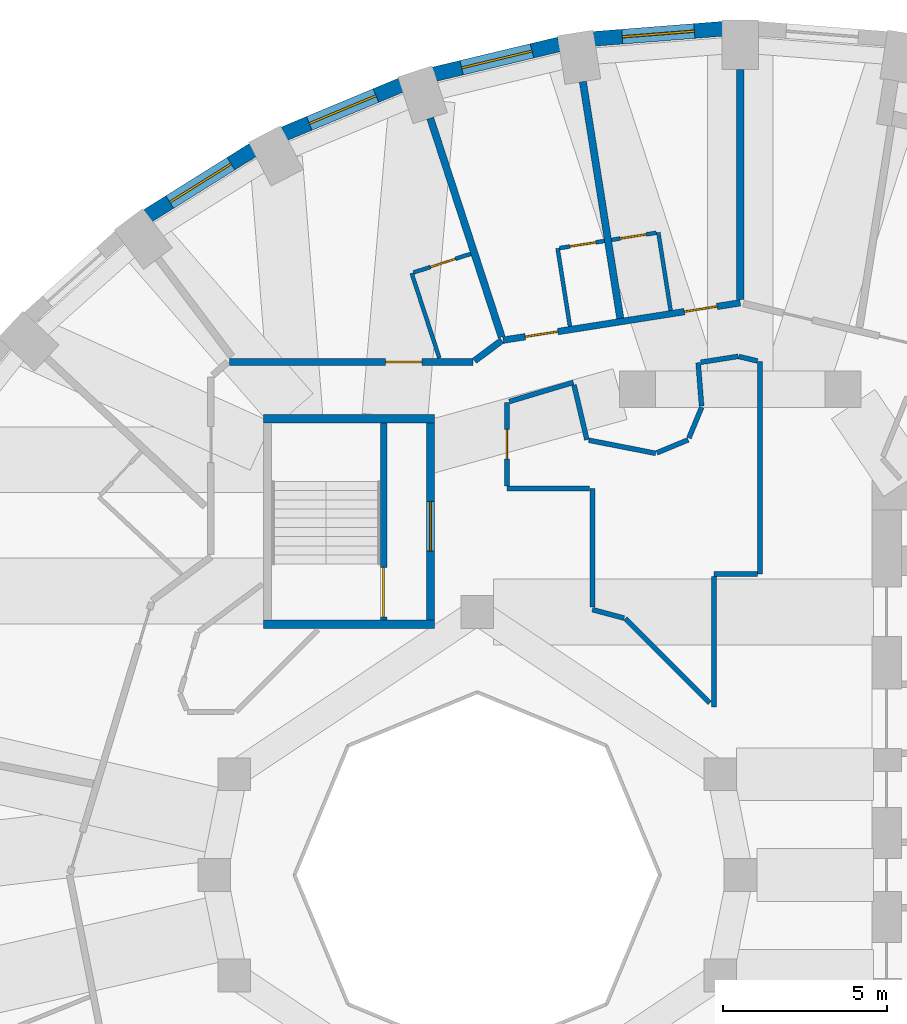
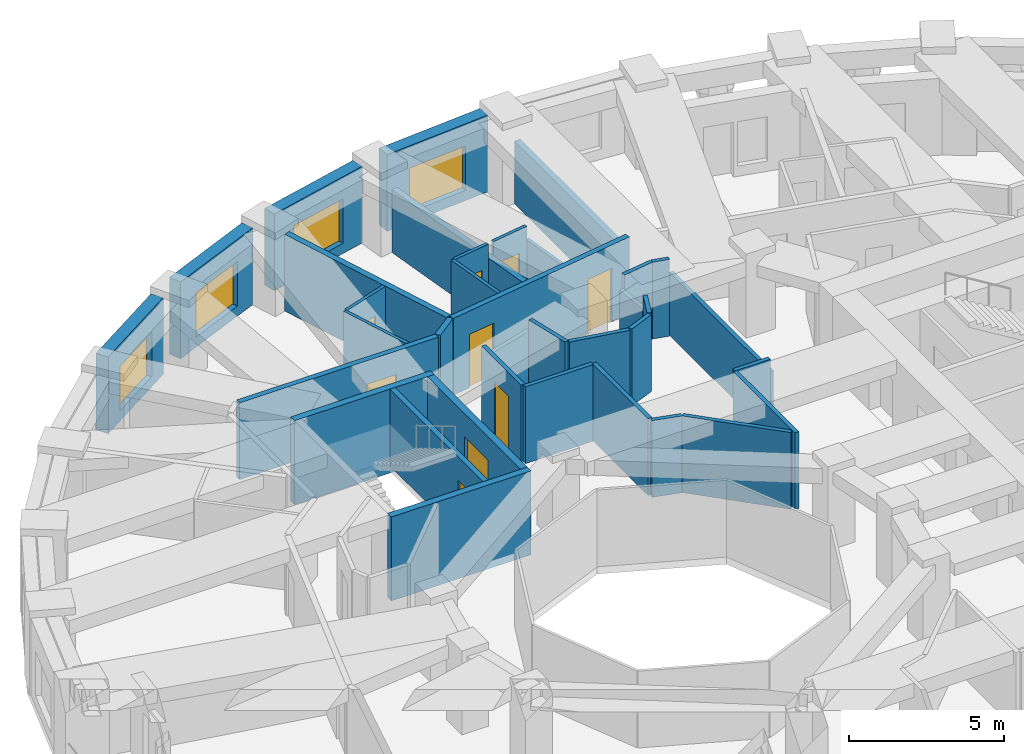
# One storey, part 8 of 14: 36 walls, 9 doors, 4 windows, 13 openings.
"""IFC4 building model written with IfcOpenShell, lengths in metres."""

import ifcopenshell
import ifcopenshell.guid

model = None  # the IFC model being written
_history = None  # IfcOwnerHistory: only IFC2X3 demands one
_inside = {}  # id of a spatial element -> (the spatial element, [elements in it])
_under = {}  # id of a project, library or spatial element -> (it, [spatial elements below it])
_declared = {}  # id of a project -> (the project, [libraries it declares])
_typed = {}  # id of a type object -> (the type object, [elements of that type])
_made_of = {}  # id of a material, layer set ... -> (it, [elements and type objects made of it])


def new_model(schema):
    """Start an empty IFC model of exactly this schema.

    Asked for "IFC4X3", IfcOpenShell would pick the latest addendum, in which some entities
    have other attributes; the version numbers below select the first issue.
    IFC2X3 requires an IfcOwnerHistory on every rooted entity: one is made here for all.
    """
    global model, _history
    if schema == "IFC4X3":
        model = ifcopenshell.file(schema_version=(4, 3, 0, 0))
    else:
        model = ifcopenshell.file(schema=schema)
    _inside.clear()
    _under.clear()
    _declared.clear()
    _typed.clear()
    _made_of.clear()
    _history = None
    if model.schema == "IFC2X3":
        org = make("IfcOrganization", Name="unknown")
        user = make(
            "IfcPersonAndOrganization",
            ThePerson=make("IfcPerson", FamilyName="unknown"),
            TheOrganization=org,
        )
        app = make(
            "IfcApplication",
            ApplicationDeveloper=org,
            Version="unknown",
            ApplicationFullName="unknown",
            ApplicationIdentifier="unknown",
        )
        _history = make(
            "IfcOwnerHistory",
            OwningUser=user,
            OwningApplication=app,
            ChangeAction="ADDED",
            CreationDate=0,
        )
    return model


def make(cls, **values):
    """One entity of the class cls with the attributes given. An attribute that is None is left unset."""
    return model.create_entity(
        cls, **{name: value for name, value in values.items() if value is not None}
    )


def rooted(cls, **values):
    """An entity with a GlobalId (a new one), such as an element, a storey or a relation."""
    return make(cls, GlobalId=ifcopenshell.guid.new(), OwnerHistory=_history, **values)


def si_unit(unit_type, name, prefix=None):
    """IfcSIUnit, for example si_unit("LENGTHUNIT", "METRE", prefix="MILLI")."""
    return make("IfcSIUnit", UnitType=unit_type, Prefix=prefix, Name=name)


def assignment(units):
    """IfcUnitAssignment: the units of a project."""
    return None if units is None else make("IfcUnitAssignment", Units=units)


def point(xyz):
    """IfcCartesianPoint."""
    return None if xyz is None else make("IfcCartesianPoint", Coordinates=xyz)


def direction(xyz):
    """IfcDirection."""
    return None if xyz is None else make("IfcDirection", DirectionRatios=xyz)


def frame(location, z_axis=None, x_axis=None):
    """IfcAxis2Placement3D, a coordinate frame: its origin and axes. An axis left out is left unset."""
    return make(
        "IfcAxis2Placement3D",
        Location=point(location),
        Axis=direction(z_axis),
        RefDirection=direction(x_axis),
    )


def frame_2d(location, x_axis=None):
    """IfcAxis2Placement2D, a coordinate frame in the plane: its origin and x axis."""
    return make(
        "IfcAxis2Placement2D", Location=point(location), RefDirection=direction(x_axis)
    )


def origin():
    """The frame at (0, 0, 0) with its axes left unset."""
    return frame((0.0, 0.0, 0.0))


def place(relative_to, where):
    """IfcLocalPlacement: puts the frame where relative to a parent placement (None: the world)."""
    return make(
        "IfcLocalPlacement", PlacementRelTo=relative_to, RelativePlacement=where
    )


def context(
    kind, dimensions, precision=None, world=None, true_north=None, identifier=None
):
    """IfcGeometricRepresentationContext, for example the 3D "Model" context."""
    return make(
        "IfcGeometricRepresentationContext",
        ContextIdentifier=identifier,
        ContextType=kind,
        CoordinateSpaceDimension=dimensions,
        Precision=precision,
        WorldCoordinateSystem=world,
        TrueNorth=true_north,
    )


def subcontext(parent, identifier, kind, view, scale=None):
    """IfcGeometricRepresentationSubContext, for example "Body" below "Model"."""
    return make(
        "IfcGeometricRepresentationSubContext",
        ContextIdentifier=identifier,
        ContextType=kind,
        ParentContext=parent,
        TargetScale=scale,
        TargetView=view,
    )


def project(units=None, contexts=None):
    """IfcProject with its units and contexts."""
    return rooted(
        "IfcProject",
        Name="project",
        RepresentationContexts=contexts,
        UnitsInContext=assignment(units),
    )


def spatial(cls, under=None, at=None, **own):
    """A site, building, storey or space (cls), placed at a placement, below another one or the project."""
    s = rooted(cls, ObjectPlacement=at, **own)
    if under is not None:
        _under.setdefault(under.id(), (under, []))[1].append(s)
    return s


def profile(cls, at=None, kind="AREA", **sizes):
    """A parametric profile (cls). Its sizes go by their IFC names, for example OverallWidth=200.0."""
    return make(cls, ProfileType=kind, Position=at, **sizes)


def rectangle(**sizes):
    """IfcRectangleProfileDef."""
    return profile("IfcRectangleProfileDef", **sizes)


def extrude(swept, where, along, depth):
    """IfcExtrudedAreaSolid: the profile swept, set in the frame where, extruded along a direction by depth."""
    return make(
        "IfcExtrudedAreaSolid",
        SweptArea=swept,
        Position=where,
        ExtrudedDirection=direction(along),
        Depth=depth,
    )


def shape(context_of_items, identifier, shape_type, items):
    """IfcShapeRepresentation: the items that make up one representation, for example the "Body"."""
    return make(
        "IfcShapeRepresentation",
        ContextOfItems=context_of_items,
        RepresentationIdentifier=identifier,
        RepresentationType=shape_type,
        Items=items,
    )


def material(Name=None, Category=None):
    """IfcMaterial."""
    return make("IfcMaterial", Name=Name, Category=Category)


def layer(
    of_material, thickness, ventilated=None, Name=None, Category=None, Priority=None
):
    """IfcMaterialLayer: one layer of a wall or slab, of a material (None: an air gap)."""
    return make(
        "IfcMaterialLayer",
        Material=of_material,
        LayerThickness=thickness,
        IsVentilated=ventilated,
        Name=Name,
        Category=Category,
        Priority=Priority,
    )


def layer_set(layers, Name=None):
    """IfcMaterialLayerSet."""
    return make("IfcMaterialLayerSet", MaterialLayers=layers, LayerSetName=Name)


def made_of(thing, what):
    """Note that an element or type object is made of a material, layer set ...; save() writes the relation."""
    if what is not None:
        _made_of.setdefault(what.id(), (what, []))[1].append(thing)
    return thing


def type_object(cls, material=None, **own):
    """A type object (cls), such as IfcWallType, which elements share."""
    return made_of(rooted(cls, **own), material)


def element(
    cls,
    number,
    at=None,
    inside=None,
    cuts=None,
    type_object=None,
    material=None,
    context=None,
    identifier="Body",
    shape_type=None,
    held_by="IfcProductDefinitionShape",
    body=None,
    shapes=None,
    **own,
):
    """One element of the class cls, such as IfcWall. Its Tag is "e" and its number.

    at: its placement. inside: the storey or other place that contains it. cuts: it is an
    opening in that element (IfcRelVoidsElement). A single representation is given by context,
    identifier, shape_type and body (its items); several are given by shapes. held_by: the class
    of the entity that holds the representations. save() writes the other relations.
    """
    e = rooted(cls, Tag="e%d" % number, ObjectPlacement=at, **own)
    if body is not None:
        shapes = [shape(context, identifier, shape_type, body)]
    if shapes is not None:
        e.Representation = make(held_by, Representations=shapes)
    if inside is not None:
        _inside.setdefault(inside.id(), (inside, []))[1].append(e)
    if cuts is not None:
        rooted(
            "IfcRelVoidsElement", RelatingBuildingElement=cuts, RelatedOpeningElement=e
        )
    if type_object is not None:
        _typed.setdefault(type_object.id(), (type_object, []))[1].append(e)
    return made_of(e, material)


def fill(opening, filler):
    """IfcRelFillsElement: the door or window that sits in an opening."""
    return rooted(
        "IfcRelFillsElement",
        RelatingOpeningElement=opening,
        RelatedBuildingElement=filler,
    )


def aggregate(whole, parts):
    """IfcRelAggregates: a whole, such as a stair, and the parts it consists of."""
    return rooted("IfcRelAggregates", RelatingObject=whole, RelatedObjects=parts)


def save(model, path):
    """Write the relations noted so far, then the file.

    IfcRelAggregates (storeys below a building ...), IfcRelContainedInSpatialStructure (elements
    in a storey), IfcRelDefinesByType, IfcRelAssociatesMaterial and IfcRelDeclares: one each for
    every whole, place, type object, material and project.
    """
    for whole, parts in _under.values():
        aggregate(whole, parts)
    for where, things in _inside.values():
        rooted(
            "IfcRelContainedInSpatialStructure",
            RelatedElements=things,
            RelatingStructure=where,
        )
    for kind, things in _typed.values():
        rooted("IfcRelDefinesByType", RelatedObjects=things, RelatingType=kind)
    for what, things in _made_of.values():
        rooted("IfcRelAssociatesMaterial", RelatedObjects=things, RelatingMaterial=what)
    for by, libraries in _declared.values():
        rooted("IfcRelDeclares", RelatingContext=by, RelatedDefinitions=libraries)
    model.write(path)


model = new_model("IFC4")

# Units and contexts
model_context = context("Model", 3, precision=1e-05, world=origin(), true_north=direction((0.0, 1.0)))
body_context = subcontext(model_context, "Body", "Model", "MODEL_VIEW")
ifc_project = project(units=[si_unit("LENGTHUNIT", "METRE"), si_unit("AREAUNIT", "SQUARE_METRE"), si_unit("VOLUMEUNIT", "CUBIC_METRE"), si_unit("PLANEANGLEUNIT", "RADIAN"), si_unit("MASSUNIT", "GRAM", prefix="KILO")], contexts=[model_context])

# Site, building, storey
site_placement = place(None, origin())
site = spatial("IfcSite", under=ifc_project, at=site_placement, CompositionType="ELEMENT")
building_placement = place(site_placement, origin())
building = spatial("IfcBuilding", under=site, at=building_placement, Name="Taillehof Tower", CompositionType="ELEMENT")
storey_placement = place(building_placement, frame((0.0, 0.0, 25.0)))
storey = spatial("IfcBuildingStorey", under=building, at=storey_placement, Name="L05", CompositionType="ELEMENT", Elevation=25.0)

# Wall, opening, window
ifc_material_1 = material(Name="Brick masonry", Category="masonry")
ifc_layer_1 = layer(ifc_material_1, 0.449951171875)
ifc_layer_set_1 = layer_set([ifc_layer_1], Name="Brick infill wall 450")
wall_type_1 = type_object("IfcWallType", Name="Brick infill wall 450", PredefinedType="SOLIDWALL", material=ifc_layer_set_1)
wall_1_placement = place(storey_placement, frame((-0.530029296875, 25.73291015625, 0.0), z_axis=(0.0, 0.0, 1.0), x_axis=(-0.996955972145, -0.077966592873, 0.0)))
wall_1 = element("IfcWall", 1, at=wall_1_placement, inside=storey, type_object=wall_type_1, Name="Brick wall L05 bay 10", PredefinedType="SOLIDWALL", context=body_context, shape_type="SweptSolid", body=[
    extrude(rectangle(XDim=3.939208984375, YDim=0.449951171875, at=frame_2d((1.9697265625, 0.0))), origin(), (0.0, 0.0, 1.0), 3.02001953125),
])
opening_1_placement = place(wall_1_placement, frame((0.86962890625, 0.0, 0.39990234375)))
opening_1 = element("IfcOpeningElement", 2, at=opening_1_placement, cuts=wall_1, Name="Opening W1", PredefinedType="OPENING", context=body_context, shape_type="SweptSolid", body=[
    extrude(rectangle(XDim=2.199951171875, YDim=1.75, at=frame_2d((1.10009765625, 0.875))), frame((0.0, 0.23486328125, 0.0), z_axis=(0.0, -1.0, 0.0), x_axis=(1.0, 0.0, 0.0)), (0.0, 0.0, 1.0), 0.469970703125),
])
ifc_material_2 = material(Name="Aluminium window frame with clear double glazing", Category="aluminium")
window_type = type_object("IfcWindowType", Name="Deep-set window 2200x1750", PartitioningType="SINGLE_PANEL", PredefinedType="WINDOW", material=ifc_material_2)
window_1_placement = place(opening_1_placement, origin())
window_1 = element("IfcWindow", 3, at=window_1_placement, inside=storey, type_object=window_type, Name="W1", OverallHeight=1.75, OverallWidth=2.199951171875, PartitioningType="SINGLE_PANEL", PredefinedType="WINDOW", context=body_context, shape_type="SweptSolid", body=[
    extrude(rectangle(XDim=2.199951171875, YDim=1.75, at=frame_2d((1.10009765625, 0.875))), frame((0.0, 0.034912109375, 0.0), z_axis=(0.0, -1.0, 0.0), x_axis=(1.0, 0.0, 0.0)), (0.0, 0.0, 1.0), 0.06005859375),
])
fill(opening_1, window_1)

wall_2_placement = place(storey_placement, frame((-5.50439453125, 25.260498046875, 0.0), z_axis=(0.0, 0.0, 1.0), x_axis=(-0.972496561493, -0.232917233979, 0.0)))
wall_2 = element("IfcWall", 4, at=wall_2_placement, inside=storey, type_object=wall_type_1, Name="Brick wall L05 bay 11", PredefinedType="SOLIDWALL", context=body_context, shape_type="SweptSolid", body=[
    extrude(rectangle(XDim=3.910888671875, YDim=0.449951171875, at=frame_2d((1.95556640625, 0.0))), origin(), (0.0, 0.0, 1.0), 3.02001953125),
])
opening_2_placement = place(wall_2_placement, frame((0.855224609375, 0.0, 0.39990234375)))
opening_2 = element("IfcOpeningElement", 5, at=opening_2_placement, cuts=wall_2, Name="Opening W1", PredefinedType="OPENING", context=body_context, shape_type="SweptSolid", body=[
    extrude(rectangle(XDim=2.199951171875, YDim=1.75, at=frame_2d((1.10009765625, 0.875))), frame((0.0, 0.23486328125, 0.0), z_axis=(0.0, -1.0, 0.0), x_axis=(1.0, 0.0, 0.0)), (0.0, 0.0, 1.0), 0.469970703125),
])
window_2_placement = place(opening_2_placement, origin())
window_2 = element("IfcWindow", 6, at=window_2_placement, inside=storey, type_object=window_type, Name="W1", OverallHeight=1.75, OverallWidth=2.199951171875, PartitioningType="SINGLE_PANEL", PredefinedType="WINDOW", context=body_context, shape_type="SweptSolid", body=[
    extrude(rectangle(XDim=2.199951171875, YDim=1.75, at=frame_2d((1.10009765625, 0.875))), frame((0.0, 0.034912109375, 0.0), z_axis=(0.0, -1.0, 0.0), x_axis=(1.0, 0.0, 0.0)), (0.0, 0.0, 1.0), 0.06005859375),
])
fill(opening_2, window_2)

wall_3_placement = place(storey_placement, frame((-10.3154296875, 24.02099609375, 0.0), z_axis=(0.0, 0.0, 1.0), x_axis=(-0.923031964282, -0.384723267966, 0.0)))
wall_3 = element("IfcWall", 7, at=wall_3_placement, inside=storey, type_object=wall_type_1, Name="Brick wall L05 bay 12", PredefinedType="SOLIDWALL", context=body_context, shape_type="SweptSolid", body=[
    extrude(rectangle(XDim=3.8564453125, YDim=0.449951171875, at=frame_2d((1.92822265625, 0.0))), origin(), (0.0, 0.0, 1.0), 3.02001953125),
])
opening_3_placement = place(wall_3_placement, frame((0.828125, 0.0, 0.39990234375)))
opening_3 = element("IfcOpeningElement", 8, at=opening_3_placement, cuts=wall_3, Name="Opening W1", PredefinedType="OPENING", context=body_context, shape_type="SweptSolid", body=[
    extrude(rectangle(XDim=2.199951171875, YDim=1.75, at=frame_2d((1.10009765625, 0.875))), frame((0.0, 0.23486328125, 0.0), z_axis=(0.0, -1.0, 0.0), x_axis=(1.0, 0.0, 0.0)), (0.0, 0.0, 1.0), 0.469970703125),
])
window_3_placement = place(opening_3_placement, origin())
window_3 = element("IfcWindow", 9, at=window_3_placement, inside=storey, type_object=window_type, Name="W1", OverallHeight=1.75, OverallWidth=2.199951171875, PartitioningType="SINGLE_PANEL", PredefinedType="WINDOW", context=body_context, shape_type="SweptSolid", body=[
    extrude(rectangle(XDim=2.199951171875, YDim=1.75, at=frame_2d((1.10009765625, 0.875))), frame((0.0, 0.034912109375, 0.0), z_axis=(0.0, -1.0, 0.0), x_axis=(1.0, 0.0, 0.0)), (0.0, 0.0, 1.0), 0.06005859375),
])
fill(opening_3, window_3)

wall_4_placement = place(storey_placement, frame((-14.81689453125, 22.050537109375, 0.0), z_axis=(0.0, 0.0, 1.0), x_axis=(-0.847635480093, -0.530579016629, 0.0)))
wall_4 = element("IfcWall", 10, at=wall_4_placement, inside=storey, type_object=wall_type_1, Name="Brick wall L05 bay 13", PredefinedType="SOLIDWALL", context=body_context, shape_type="SweptSolid", body=[
    extrude(rectangle(XDim=3.782470703125, YDim=0.449951171875, at=frame_2d((1.89111328125, 0.0))), origin(), (0.0, 0.0, 1.0), 3.02001953125),
])
opening_4_placement = place(wall_4_placement, frame((0.791259765625, 0.0, 0.39990234375)))
opening_4 = element("IfcOpeningElement", 11, at=opening_4_placement, cuts=wall_4, Name="Opening W1", PredefinedType="OPENING", context=body_context, shape_type="SweptSolid", body=[
    extrude(rectangle(XDim=2.199951171875, YDim=1.75, at=frame_2d((1.10009765625, 0.875))), frame((0.0, 0.23486328125, 0.0), z_axis=(0.0, -1.0, 0.0), x_axis=(1.0, 0.0, 0.0)), (0.0, 0.0, 1.0), 0.469970703125),
])
window_4_placement = place(opening_4_placement, origin())
window_4 = element("IfcWindow", 12, at=window_4_placement, inside=storey, type_object=window_type, Name="W1", OverallHeight=1.75, OverallWidth=2.199951171875, PartitioningType="SINGLE_PANEL", PredefinedType="WINDOW", context=body_context, shape_type="SweptSolid", body=[
    extrude(rectangle(XDim=2.199951171875, YDim=1.75, at=frame_2d((1.10009765625, 0.875))), frame((0.0, 0.034912109375, 0.0), z_axis=(0.0, -1.0, 0.0), x_axis=(1.0, 0.0, 0.0)), (0.0, 0.0, 1.0), 0.06005859375),
])
fill(opening_4, window_4)

# Wall, opening, door
ifc_material_3 = material(Name="Gypsum board on steel studs, two layers each side", Category="steel")
ifc_layer_2 = layer(ifc_material_3, 0.199951171875)
ifc_layer_set_2 = layer_set([ifc_layer_2], Name="Compartment wall corridor 200")
wall_type_2 = type_object("IfcWallType", Name="Compartment wall corridor 200", PredefinedType="PARTITIONING", material=ifc_layer_set_2)
wall_5_placement = place(storey_placement, frame((-15.531494140625, 15.60009765625, 0.0), z_axis=(0.0, 0.0, 1.0), x_axis=(1.0, 0.0, 0.0)))
wall_5 = element("IfcWall", 13, at=wall_5_placement, inside=storey, type_object=wall_type_2, Name="Compartment wall", PredefinedType="PARTITIONING", context=body_context, shape_type="SweptSolid", body=[
    extrude(rectangle(XDim=7.39892578125, YDim=0.199951171875, at=frame_2d((3.699462890625, 0.0))), origin(), (0.0, 0.0, 1.0), 3.02001953125),
])
opening_5_placement = place(wall_5_placement, frame((4.74658203125, 0.0, 0.0)))
opening_5 = element("IfcOpeningElement", 14, at=opening_5_placement, cuts=wall_5, Name="Opening D0549", PredefinedType="OPENING", context=body_context, shape_type="SweptSolid", body=[
    extrude(rectangle(XDim=1.10009765625, YDim=2.10009765625, at=frame_2d((0.550048828125, 1.050048828125))), frame((0.0, 0.10986328125, 0.0), z_axis=(0.0, -1.0, 0.0), x_axis=(1.0, 0.0, 0.0)), (0.0, 0.0, 1.0), 0.219970703125),
])
ifc_material_4 = material(Name="Timber door leaf in steel frame", Category="steel")
door_type_1 = type_object("IfcDoorType", Name="Suite entrance door EI 30 1100 x 2100", OperationType="SINGLE_SWING_LEFT", PredefinedType="DOOR", material=ifc_material_4)
door_1_placement = place(opening_5_placement, origin())
door_1 = element("IfcDoor", 15, at=door_1_placement, inside=storey, type_object=door_type_1, Name="D0549", OperationType="SINGLE_SWING_RIGHT", OverallHeight=2.10009765625, OverallWidth=1.10009765625, PredefinedType="DOOR", context=body_context, shape_type="SweptSolid", body=[
    extrude(rectangle(XDim=1.10009765625, YDim=2.10009765625, at=frame_2d((0.550048828125, 1.050048828125))), frame((0.0, 0.02490234375, 0.0), z_axis=(0.0, -1.0, 0.0), x_axis=(1.0, 0.0, 0.0)), (0.0, 0.0, 1.0), 0.050048828125),
])
fill(opening_5, door_1)

# Wall
wall_6_placement = place(storey_placement, frame((-8.084228515625, 15.635986328125, 0.0), z_axis=(0.0, 0.0, 1.0), x_axis=(0.802193962144, 0.597063520155, 0.0)))
element("IfcWall", 16, at=wall_6_placement, inside=storey, type_object=wall_type_2, Name="Compartment wall", PredefinedType="PARTITIONING", context=body_context, shape_type="SweptSolid", body=[
    extrude(rectangle(XDim=1.0390625, YDim=0.199951171875, at=frame_2d((0.51953125, 0.0))), origin(), (0.0, 0.0, 1.0), 3.02001953125),
])

# Wall, openings, doors
wall_7_placement = place(storey_placement, frame((-7.211181640625, 16.2626953125, 0.0), z_axis=(0.0, 0.0, 1.0), x_axis=(0.987792503573, 0.155775382796, 0.0)))
wall_7 = element("IfcWall", 17, at=wall_7_placement, inside=storey, type_object=wall_type_2, Name="Compartment wall", PredefinedType="PARTITIONING", context=body_context, shape_type="SweptSolid", body=[
    extrude(rectangle(XDim=7.30029296875, YDim=0.199951171875, at=frame_2d((3.650146484375, 0.0))), origin(), (0.0, 0.0, 1.0), 3.02001953125),
])
opening_6_placement = place(wall_7_placement, frame((5.58056640625, 0.0, 0.0)))
opening_6 = element("IfcOpeningElement", 18, at=opening_6_placement, cuts=wall_7, Name="Opening D0545", PredefinedType="OPENING", context=body_context, shape_type="SweptSolid", body=[
    extrude(rectangle(XDim=1.0, YDim=2.10009765625, at=frame_2d((0.5, 1.050048828125))), frame((0.0, 0.10986328125, 0.0), z_axis=(0.0, -1.0, 0.0), x_axis=(1.0, 0.0, 0.0)), (0.0, 0.0, 1.0), 0.219970703125),
])
opening_7_placement = place(wall_7_placement, frame((0.680419921875, 0.0, 0.0)))
opening_7 = element("IfcOpeningElement", 19, at=opening_7_placement, cuts=wall_7, Name="Opening D0547", PredefinedType="OPENING", context=body_context, shape_type="SweptSolid", body=[
    extrude(rectangle(XDim=1.0, YDim=2.10009765625, at=frame_2d((0.5, 1.050048828125))), frame((0.0, 0.10986328125, 0.0), z_axis=(0.0, -1.0, 0.0), x_axis=(1.0, 0.0, 0.0)), (0.0, 0.0, 1.0), 0.219970703125),
])
ifc_material_5 = material(Name="Timber door leaf in steel frame", Category="steel")
door_type_2 = type_object("IfcDoorType", Name="Guest room door EI 30 1000 x 2100", OperationType="SINGLE_SWING_LEFT", PredefinedType="DOOR", material=ifc_material_5)
door_2_placement = place(opening_6_placement, origin())
door_2 = element("IfcDoor", 20, at=door_2_placement, inside=storey, type_object=door_type_2, Name="D0545", OperationType="SINGLE_SWING_LEFT", OverallHeight=2.10009765625, OverallWidth=1.0, PredefinedType="DOOR", context=body_context, shape_type="SweptSolid", body=[
    extrude(rectangle(XDim=1.0, YDim=2.10009765625, at=frame_2d((0.5, 1.050048828125))), frame((0.0, 0.02490234375, 0.0), z_axis=(0.0, -1.0, 0.0), x_axis=(1.0, 0.0, 0.0)), (0.0, 0.0, 1.0), 0.050048828125),
])
fill(opening_6, door_2)
door_3_placement = place(opening_7_placement, origin())
door_3 = element("IfcDoor", 21, at=door_3_placement, inside=storey, type_object=door_type_2, Name="D0547", OperationType="SINGLE_SWING_RIGHT", OverallHeight=2.10009765625, OverallWidth=1.0, PredefinedType="DOOR", context=body_context, shape_type="SweptSolid", body=[
    extrude(rectangle(XDim=1.0, YDim=2.10009765625, at=frame_2d((0.5, 1.050048828125))), frame((0.0, 0.02490234375, 0.0), z_axis=(0.0, -1.0, 0.0), x_axis=(1.0, 0.0, 0.0)), (0.0, 0.0, 1.0), 0.050048828125),
])
fill(opening_7, door_3)

# Walls
ifc_material_6 = material(Name="Gypsum board on double steel studs with mineral wool", Category="steel")
ifc_layer_3 = layer(ifc_material_6, 0.219970703125)
ifc_layer_set_3 = layer_set([ifc_layer_3], Name="Compartment wall guest room 220")
wall_type_3 = type_object("IfcWallType", Name="Compartment wall guest room 220", PredefinedType="PARTITIONING", material=ifc_layer_set_3)
wall_8_placement = place(storey_placement, frame((0.0, 24.5, 0.0), z_axis=(0.0, 0.0, 1.0), x_axis=(0.0, -1.0, 0.0)))
element("IfcWall", 22, at=wall_8_placement, inside=storey, type_object=wall_type_3, Name="Compartment wall", PredefinedType="PARTITIONING", context=body_context, shape_type="SweptSolid", body=[
    extrude(rectangle(XDim=7.0, YDim=0.219970703125, at=frame_2d((3.5, 0.0))), origin(), (0.0, 0.0, 1.0), 2.469970703125),
])
wall_9_placement = place(storey_placement, frame((-4.788330078125, 24.12548828125, 0.0), z_axis=(0.0, 0.0, 1.0), x_axis=(0.156143160107, -0.98773443473, 0.0)))
element("IfcWall", 23, at=wall_9_placement, inside=storey, type_object=wall_type_3, Name="Compartment wall", PredefinedType="PARTITIONING", context=body_context, shape_type="SweptSolid", body=[
    extrude(rectangle(XDim=7.289306640625, YDim=0.219970703125, at=frame_2d((3.64453125, 0.0))), origin(), (0.0, 0.0, 1.0), 2.469970703125),
])
wall_10_placement = place(storey_placement, frame((-9.429443359375, 23.01416015625, 0.0), z_axis=(0.0, 0.0, 1.0), x_axis=(0.310239117306, -0.950658555998, 0.0)))
element("IfcWall", 24, at=wall_10_placement, inside=storey, type_object=wall_type_3, Name="Compartment wall", PredefinedType="PARTITIONING", context=body_context, shape_type="SweptSolid", body=[
    extrude(rectangle(XDim=7.0029296875, YDim=0.219970703125, at=frame_2d((3.50146484375, 0.0))), origin(), (0.0, 0.0, 1.0), 3.02001953125),
])
ifc_material_7 = material(Name="Gypsum board on steel studs, two layers each side", Category="steel")
ifc_layer_4 = layer(ifc_material_7, 0.14990234375)
ifc_layer_set_4 = layer_set([ifc_layer_4], Name="Compartment wall service room 150")
wall_type_4 = type_object("IfcWallType", Name="Compartment wall service room 150", PredefinedType="PARTITIONING", material=ifc_layer_set_4)
wall_11_placement = place(storey_placement, frame((0.60009765625, 15.611572265625, 0.0), z_axis=(0.0, 0.0, 1.0), x_axis=(0.0, -1.0, 0.0)))
element("IfcWall", 25, at=wall_11_placement, inside=storey, type_object=wall_type_4, Name="Compartment wall", PredefinedType="PARTITIONING", context=body_context, shape_type="SweptSolid", body=[
    extrude(rectangle(XDim=6.461669921875, YDim=0.14990234375, at=frame_2d((3.23095703125, 0.0))), origin(), (0.0, 0.0, 1.0), 2.469970703125),
])
wall_12_placement = place(storey_placement, frame((0.52001953125, 9.14990234375, 0.0), z_axis=(0.0, 0.0, 1.0), x_axis=(-1.0, 0.0, 0.0)))
element("IfcWall", 26, at=wall_12_placement, inside=storey, type_object=wall_type_4, Name="Compartment wall", PredefinedType="PARTITIONING", context=body_context, shape_type="SweptSolid", body=[
    extrude(rectangle(XDim=1.320068359375, YDim=0.14990234375, at=frame_2d((0.66015625, 0.0))), origin(), (0.0, 0.0, 1.0), 3.02001953125),
])
wall_13_placement = place(storey_placement, frame((-0.800048828125, 9.06982421875, 0.0), z_axis=(0.0, 0.0, 1.0), x_axis=(0.0, -1.0, 0.0)))
element("IfcWall", 27, at=wall_13_placement, inside=storey, type_object=wall_type_4, Name="Compartment wall", PredefinedType="PARTITIONING", context=body_context, shape_type="SweptSolid", body=[
    extrude(rectangle(XDim=3.966064453125, YDim=0.14990234375, at=frame_2d((1.98291015625, 0.0))), origin(), (0.0, 0.0, 1.0), 3.02001953125),
])
wall_14_placement = place(storey_placement, frame((-0.927490234375, 5.231201171875, 0.0), z_axis=(0.0, 0.0, 1.0), x_axis=(-0.707106781187, 0.707106781187, 0.0)))
element("IfcWall", 28, at=wall_14_placement, inside=storey, type_object=wall_type_4, Name="Compartment wall", PredefinedType="PARTITIONING", context=body_context, shape_type="SweptSolid", body=[
    extrude(rectangle(XDim=3.63330078125, YDim=0.14990234375, at=frame_2d((1.816650390625, 0.0))), origin(), (0.0, 0.0, 1.0), 3.02001953125),
])
wall_15_placement = place(storey_placement, frame((-3.53515625, 7.810546875, 0.0), z_axis=(0.0, 0.0, 1.0), x_axis=(-0.965921867197, 0.258833820183, 0.0)))
element("IfcWall", 29, at=wall_15_placement, inside=storey, type_object=wall_type_4, Name="Compartment wall", PredefinedType="PARTITIONING", context=body_context, shape_type="SweptSolid", body=[
    extrude(rectangle(XDim=0.998779296875, YDim=0.14990234375, at=frame_2d((0.49951171875, 0.0))), origin(), (0.0, 0.0, 1.0), 3.02001953125),
])
wall_16_placement = place(storey_placement, frame((-4.5, 8.149169921875, 0.0), z_axis=(0.0, 0.0, 1.0), x_axis=(0.0, 1.0, 0.0)))
element("IfcWall", 30, at=wall_16_placement, inside=storey, type_object=wall_type_4, Name="Compartment wall", PredefinedType="PARTITIONING", context=body_context, shape_type="SweptSolid", body=[
    extrude(rectangle(XDim=3.600830078125, YDim=0.14990234375, at=frame_2d((1.80029296875, 0.0))), origin(), (0.0, 0.0, 1.0), 3.02001953125),
])
wall_17_placement = place(storey_placement, frame((-4.580078125, 11.75, 0.0), z_axis=(0.0, 0.0, 1.0), x_axis=(-1.0, 0.0, 0.0)))
element("IfcWall", 31, at=wall_17_placement, inside=storey, type_object=wall_type_4, Name="Compartment wall", PredefinedType="PARTITIONING", context=body_context, shape_type="SweptSolid", body=[
    extrude(rectangle(XDim=2.52001953125, YDim=0.14990234375, at=frame_2d((1.260009765625, 0.0))), origin(), (0.0, 0.0, 1.0), 3.02001953125),
])

# Wall, opening, door
wall_18_placement = place(storey_placement, frame((-7.10009765625, 11.830078125, 0.0), z_axis=(0.0, 0.0, 1.0), x_axis=(0.0, 1.0, 0.0)))
wall_18 = element("IfcWall", 32, at=wall_18_placement, inside=storey, type_object=wall_type_4, Name="Compartment wall", PredefinedType="PARTITIONING", context=body_context, shape_type="SweptSolid", body=[
    extrude(rectangle(XDim=2.5439453125, YDim=0.14990234375, at=frame_2d((1.27197265625, 0.0))), origin(), (0.0, 0.0, 1.0), 3.02001953125),
])
opening_8_placement = place(wall_18_placement, frame((0.822021484375, 0.0, 0.0)))
opening_8 = element("IfcOpeningElement", 33, at=opening_8_placement, cuts=wall_18, Name="Opening D0573", PredefinedType="OPENING", context=body_context, shape_type="SweptSolid", body=[
    extrude(rectangle(XDim=0.89990234375, YDim=2.10009765625, at=frame_2d((0.449951171875, 1.050048828125))), frame((0.0, 0.0849609375, 0.0), z_axis=(0.0, -1.0, 0.0), x_axis=(1.0, 0.0, 0.0)), (0.0, 0.0, 1.0), 0.169921875),
])
ifc_material_8 = material(Name="Timber door leaf in steel frame", Category="steel")
door_type_3 = type_object("IfcDoorType", Name="Service room door EI 30 900 x 2100", OperationType="SINGLE_SWING_LEFT", PredefinedType="DOOR", material=ifc_material_8)
door_4_placement = place(opening_8_placement, origin())
door_4 = element("IfcDoor", 34, at=door_4_placement, inside=storey, type_object=door_type_3, Name="D0573", OperationType="SINGLE_SWING_LEFT", OverallHeight=2.10009765625, OverallWidth=0.89990234375, PredefinedType="DOOR", context=body_context, shape_type="SweptSolid", body=[
    extrude(rectangle(XDim=0.89990234375, YDim=2.10009765625, at=frame_2d((0.449951171875, 1.050048828125))), frame((0.0, 0.02490234375, 0.0), z_axis=(0.0, -1.0, 0.0), x_axis=(1.0, 0.0, 0.0)), (0.0, 0.0, 1.0), 0.050048828125),
])
fill(opening_8, door_4)

# Walls
wall_19_placement = place(storey_placement, frame((-7.02392578125, 14.396484375, 0.0), z_axis=(0.0, 0.0, 1.0), x_axis=(0.958024310194, 0.286686974028, 0.0)))
element("IfcWall", 35, at=wall_19_placement, inside=storey, type_object=wall_type_4, Name="Compartment wall", PredefinedType="PARTITIONING", context=body_context, shape_type="SweptSolid", body=[
    extrude(rectangle(XDim=2.03369140625, YDim=0.14990234375, at=frame_2d((1.016845703125, 0.0))), origin(), (0.0, 0.0, 1.0), 2.570068359375),
])
wall_20_placement = place(storey_placement, frame((-5.05712890625, 14.9013671875, 0.0), z_axis=(0.0, 0.0, 1.0), x_axis=(0.228269361027, -0.973598017056, 0.0)))
element("IfcWall", 36, at=wall_20_placement, inside=storey, type_object=wall_type_4, Name="Compartment wall", PredefinedType="PARTITIONING", context=body_context, shape_type="SweptSolid", body=[
    extrude(rectangle(XDim=1.71435546875, YDim=0.14990234375, at=frame_2d((0.857177734375, 0.0))), origin(), (0.0, 0.0, 1.0), 3.02001953125),
])
wall_21_placement = place(storey_placement, frame((-4.607177734375, 13.220458984375, 0.0), z_axis=(0.0, 0.0, 1.0), x_axis=(0.981304142817, -0.192463449234, 0.0)))
element("IfcWall", 37, at=wall_21_placement, inside=storey, type_object=wall_type_4, Name="Compartment wall", PredefinedType="PARTITIONING", context=body_context, shape_type="SweptSolid", body=[
    extrude(rectangle(XDim=2.0703125, YDim=0.14990234375, at=frame_2d((1.03515625, 0.0))), origin(), (0.0, 0.0, 1.0), 3.02001953125),
])
wall_22_placement = place(storey_placement, frame((-2.53857421875, 12.837158203125, 0.0), z_axis=(0.0, 0.0, 1.0), x_axis=(0.923768662954, 0.382950985565, 0.0)))
element("IfcWall", 38, at=wall_22_placement, inside=storey, type_object=wall_type_4, Name="Compartment wall", PredefinedType="PARTITIONING", context=body_context, shape_type="SweptSolid", body=[
    extrude(rectangle(XDim=1.031494140625, YDim=0.14990234375, at=frame_2d((0.515625, 0.0))), origin(), (0.0, 0.0, 1.0), 3.02001953125),
])
wall_23_placement = place(storey_placement, frame((-1.56298828125, 13.287841796875, 0.0), z_axis=(0.0, 0.0, 1.0), x_axis=(0.38284922736, 0.923810840546, 0.0)))
element("IfcWall", 39, at=wall_23_placement, inside=storey, type_object=wall_type_4, Name="Compartment wall", PredefinedType="PARTITIONING", context=body_context, shape_type="SweptSolid", body=[
    extrude(rectangle(XDim=1.011474609375, YDim=0.14990234375, at=frame_2d((0.505859375, 0.0))), origin(), (0.0, 0.0, 1.0), 3.02001953125),
])
wall_24_placement = place(storey_placement, frame((-1.1787109375, 14.26220703125, 0.0), z_axis=(0.0, 0.0, 1.0), x_axis=(-0.078054271799, 0.996949111366, 0.0)))
element("IfcWall", 40, at=wall_24_placement, inside=storey, type_object=wall_type_4, Name="Compartment wall", PredefinedType="PARTITIONING", context=body_context, shape_type="SweptSolid", body=[
    extrude(rectangle(XDim=1.31982421875, YDim=0.14990234375, at=frame_2d((0.659912109375, 0.0))), origin(), (0.0, 0.0, 1.0), 2.469970703125),
])
wall_25_placement = place(storey_placement, frame((-1.20263671875, 15.5908203125, 0.0), z_axis=(0.0, 0.0, 1.0), x_axis=(0.987814418255, 0.155636355288, 0.0)))
element("IfcWall", 41, at=wall_25_placement, inside=storey, type_object=wall_type_4, Name="Compartment wall", PredefinedType="PARTITIONING", context=body_context, shape_type="SweptSolid", body=[
    extrude(rectangle(XDim=1.153076171875, YDim=0.14990234375, at=frame_2d((0.57666015625, 0.0))), origin(), (0.0, 0.0, 1.0), 3.02001953125),
])
wall_26_placement = place(storey_placement, frame((-0.044189453125, 15.765625, 0.0), z_axis=(0.0, 0.0, 1.0), x_axis=(0.972535568527, -0.232754308121, 0.0)))
element("IfcWall", 42, at=wall_26_placement, inside=storey, type_object=wall_type_4, Name="Compartment wall", PredefinedType="PARTITIONING", context=body_context, shape_type="SweptSolid", body=[
    extrude(rectangle(XDim=0.58203125, YDim=0.14990234375, at=frame_2d((0.291015625, 0.0))), origin(), (0.0, 0.0, 1.0), 3.02001953125),
])
ifc_material_9 = material(Name="Gypsum board on steel studs, moisture resistant", Category="steel")
ifc_layer_5 = layer(ifc_material_9, 0.1201171875)
ifc_layer_set_5 = layer_set([ifc_layer_5], Name="En-suite wall 120")
wall_type_5 = type_object("IfcWallType", Name="En-suite wall 120", PredefinedType="PARTITIONING", material=ifc_layer_set_5)
wall_27_placement = place(storey_placement, frame((-2.119140625, 17.1669921875, 0.0), z_axis=(0.0, 0.0, 1.0), x_axis=(-0.156114026572, 0.987739039781, 0.0)))
element("IfcWall", 43, at=wall_27_placement, inside=storey, type_object=wall_type_5, Name="En-suite wall", PredefinedType="PARTITIONING", context=body_context, shape_type="SweptSolid", body=[
    extrude(rectangle(XDim=2.400634765625, YDim=0.1201171875, at=frame_2d((1.2001953125, 0.0))), origin(), (0.0, 0.0, 1.0), 2.469970703125),
])
wall_28_placement = place(storey_placement, frame((-5.181396484375, 16.683837890625, 0.0), z_axis=(0.0, 0.0, 1.0), x_axis=(-0.156077517275, 0.987744809453, 0.0)))
element("IfcWall", 44, at=wall_28_placement, inside=storey, type_object=wall_type_5, Name="En-suite wall", PredefinedType="PARTITIONING", context=body_context, shape_type="SweptSolid", body=[
    extrude(rectangle(XDim=2.3994140625, YDim=0.1201171875, at=frame_2d((1.19970703125, 0.0))), origin(), (0.0, 0.0, 1.0), 3.02001953125),
])
wall_29_placement = place(storey_placement, frame((-9.152587890625, 15.71923828125, 0.0), z_axis=(0.0, 0.0, 1.0), x_axis=(-0.310236037509, 0.950659561058, 0.0)))
element("IfcWall", 45, at=wall_29_placement, inside=storey, type_object=wall_type_5, Name="En-suite wall", PredefinedType="PARTITIONING", context=body_context, shape_type="SweptSolid", body=[
    extrude(rectangle(XDim=2.716552734375, YDim=0.1201171875, at=frame_2d((1.3583984375, 0.0))), origin(), (0.0, 0.0, 1.0), 3.02001953125),
])

# Wall, opening, door
wall_30_placement = place(storey_placement, frame((-2.55322265625, 19.528564453125, 0.0), z_axis=(0.0, 0.0, 1.0), x_axis=(-0.987750051492, -0.15604433914, 0.0)))
wall_30 = element("IfcWall", 46, at=wall_30_placement, inside=storey, type_object=wall_type_5, Name="En-suite wall", PredefinedType="PARTITIONING", context=body_context, shape_type="SweptSolid", body=[
    extrude(rectangle(XDim=1.3798828125, YDim=0.1201171875, at=frame_2d((0.68994140625, 0.0))), origin(), (0.0, 0.0, 1.0), 3.02001953125),
])
opening_9_placement = place(wall_30_placement, frame((0.31494140625, 0.0, 0.0)))
opening_9 = element("IfcOpeningElement", 47, at=opening_9_placement, cuts=wall_30, Name="Opening D0546", PredefinedType="OPENING", context=body_context, shape_type="SweptSolid", body=[
    extrude(rectangle(XDim=0.800048828125, YDim=2.10009765625, at=frame_2d((0.39990234375, 1.050048828125))), frame((0.0, 0.070068359375, 0.0), z_axis=(0.0, -1.0, 0.0), x_axis=(1.0, 0.0, 0.0)), (0.0, 0.0, 1.0), 0.14013671875),
])
ifc_material_10 = material(Name="Timber door leaf in steel frame", Category="steel")
door_type_4 = type_object("IfcDoorType", Name="En-suite door 800 x 2100", OperationType="SINGLE_SWING_LEFT", PredefinedType="DOOR", material=ifc_material_10)
door_5_placement = place(opening_9_placement, origin())
door_5 = element("IfcDoor", 48, at=door_5_placement, inside=storey, type_object=door_type_4, Name="D0546", OperationType="SINGLE_SWING_LEFT", OverallHeight=2.10009765625, OverallWidth=0.800048828125, PredefinedType="DOOR", context=body_context, shape_type="SweptSolid", body=[
    extrude(rectangle(XDim=0.800048828125, YDim=2.10009765625, at=frame_2d((0.39990234375, 1.050048828125))), frame((0.0, 0.02490234375, 0.0), z_axis=(0.0, -1.0, 0.0), x_axis=(1.0, 0.0, 0.0)), (0.0, 0.0, 1.0), 0.050048828125),
])
fill(opening_9, door_5)

wall_31_placement = place(storey_placement, frame((-5.49658203125, 19.0634765625, 0.0), z_axis=(0.0, 0.0, 1.0), x_axis=(0.987722767831, 0.156216945011, 0.0)))
wall_31 = element("IfcWall", 49, at=wall_31_placement, inside=storey, type_object=wall_type_5, Name="En-suite wall", PredefinedType="PARTITIONING", context=body_context, shape_type="SweptSolid", body=[
    extrude(rectangle(XDim=1.3798828125, YDim=0.1201171875, at=frame_2d((0.68994140625, 0.0))), origin(), (0.0, 0.0, 1.0), 3.02001953125),
])
opening_10_placement = place(wall_31_placement, frame((0.31494140625, 0.0, 0.0)))
opening_10 = element("IfcOpeningElement", 50, at=opening_10_placement, cuts=wall_31, Name="Opening D0548", PredefinedType="OPENING", context=body_context, shape_type="SweptSolid", body=[
    extrude(rectangle(XDim=0.800048828125, YDim=2.10009765625, at=frame_2d((0.39990234375, 1.050048828125))), frame((0.0, 0.070068359375, 0.0), z_axis=(0.0, -1.0, 0.0), x_axis=(1.0, 0.0, 0.0)), (0.0, 0.0, 1.0), 0.14013671875),
])
door_6_placement = place(opening_10_placement, origin())
door_6 = element("IfcDoor", 51, at=door_6_placement, inside=storey, type_object=door_type_4, Name="D0548", OperationType="SINGLE_SWING_LEFT", OverallHeight=2.10009765625, OverallWidth=0.800048828125, PredefinedType="DOOR", context=body_context, shape_type="SweptSolid", body=[
    extrude(rectangle(XDim=0.800048828125, YDim=2.10009765625, at=frame_2d((0.39990234375, 1.050048828125))), frame((0.0, 0.02490234375, 0.0), z_axis=(0.0, -1.0, 0.0), x_axis=(1.0, 0.0, 0.0)), (0.0, 0.0, 1.0), 0.050048828125),
])
fill(opening_10, door_6)

wall_32_placement = place(storey_placement, frame((-9.938232421875, 18.3203125, 0.0), z_axis=(0.0, 0.0, 1.0), x_axis=(0.950678536911, 0.31017788357, 0.0)))
wall_32 = element("IfcWall", 52, at=wall_32_placement, inside=storey, type_object=wall_type_5, Name="En-suite wall", PredefinedType="PARTITIONING", context=body_context, shape_type="SweptSolid", body=[
    extrude(rectangle(XDim=1.830078125, YDim=0.1201171875, at=frame_2d((0.9150390625, 0.0))), origin(), (0.0, 0.0, 1.0), 3.02001953125),
])
opening_11_placement = place(wall_32_placement, frame((0.539794921875, 0.0, 0.0)))
opening_11 = element("IfcOpeningElement", 53, at=opening_11_placement, cuts=wall_32, Name="Opening D0550", PredefinedType="OPENING", context=body_context, shape_type="SweptSolid", body=[
    extrude(rectangle(XDim=0.800048828125, YDim=2.10009765625, at=frame_2d((0.39990234375, 1.050048828125))), frame((0.0, 0.070068359375, 0.0), z_axis=(0.0, -1.0, 0.0), x_axis=(1.0, 0.0, 0.0)), (0.0, 0.0, 1.0), 0.14013671875),
])
door_7_placement = place(opening_11_placement, origin())
door_7 = element("IfcDoor", 54, at=door_7_placement, inside=storey, type_object=door_type_4, Name="D0550", OperationType="SINGLE_SWING_LEFT", OverallHeight=2.10009765625, OverallWidth=0.800048828125, PredefinedType="DOOR", context=body_context, shape_type="SweptSolid", body=[
    extrude(rectangle(XDim=0.800048828125, YDim=2.10009765625, at=frame_2d((0.39990234375, 1.050048828125))), frame((0.0, 0.02490234375, 0.0), z_axis=(0.0, -1.0, 0.0), x_axis=(1.0, 0.0, 0.0)), (0.0, 0.0, 1.0), 0.050048828125),
])
fill(opening_11, door_7)

ifc_material_11 = material(Name="Concrete C50/60", Category="concrete")
ifc_layer_6 = layer(ifc_material_11, 0.199951171875)
ifc_layer_set_6 = layer_set([ifc_layer_6], Name="Shaft wall C50/60 200")
wall_type_6 = type_object("IfcWallType", Name="Shaft wall C50/60 200", PredefinedType="SHEAR", material=ifc_layer_set_6)
wall_33_placement = place(storey_placement, frame((-10.85009765625, 7.75, 0.0), z_axis=(0.0, 0.0, 1.0), x_axis=(0.0, 1.0, 0.0)))
wall_33 = element("IfcWall", 55, at=wall_33_placement, inside=storey, type_object=wall_type_6, Name="Shaft wall SW", PredefinedType="SHEAR", context=body_context, shape_type="SweptSolid", body=[
    extrude(rectangle(XDim=6.0, YDim=0.199951171875, at=frame_2d((3.0, 0.0))), origin(), (0.0, 0.0, 1.0), 3.02001953125),
])
opening_12_placement = place(wall_33_placement, frame((0.10009765625, 0.0, 0.0)))
opening_12 = element("IfcOpeningElement", 56, at=opening_12_placement, cuts=wall_33, Name="Opening D0512", PredefinedType="OPENING", context=body_context, shape_type="SweptSolid", body=[
    extrude(rectangle(XDim=1.5, YDim=2.10009765625, at=frame_2d((0.75, 1.050048828125))), frame((0.0, 0.10986328125, 0.0), z_axis=(0.0, -1.0, 0.0), x_axis=(1.0, 0.0, 0.0)), (0.0, 0.0, 1.0), 0.219970703125),
])
ifc_material_12 = material(Name="Steel-faced fire door", Category="steel")
door_type_5 = type_object("IfcDoorType", Name="Stair door 1500x2100", OperationType="DOUBLE_DOOR_SINGLE_SWING", PredefinedType="DOOR", material=ifc_material_12)
door_8_placement = place(opening_12_placement, origin())
door_8 = element("IfcDoor", 57, at=door_8_placement, inside=storey, type_object=door_type_5, Name="Stair lobby door S3", OperationType="DOUBLE_DOOR_SINGLE_SWING", OverallHeight=2.10009765625, OverallWidth=1.5, PredefinedType="DOOR", context=body_context, shape_type="SweptSolid", body=[
    extrude(rectangle(XDim=1.5, YDim=2.10009765625, at=frame_2d((0.75, 1.050048828125))), frame((0.0, 0.02490234375, 0.0), z_axis=(0.0, -1.0, 0.0), x_axis=(1.0, 0.0, 0.0)), (0.0, 0.0, 1.0), 0.050048828125),
])
fill(opening_12, door_8)

ifc_material_13 = material(Name="Concrete C50/60", Category="concrete")
ifc_layer_7 = layer(ifc_material_13, 0.25)
ifc_layer_set_7 = layer_set([ifc_layer_7], Name="Stair wall C50/60 250")
wall_type_7 = type_object("IfcWallType", Name="Stair wall C50/60 250", PredefinedType="SHEAR", material=ifc_layer_set_7)
wall_34_placement = place(storey_placement, frame((-9.425048828125, 7.75, -0.280029296875), z_axis=(0.0, 0.0, 1.0), x_axis=(0.0, 1.0, 0.0)))
wall_34 = element("IfcWall", 58, at=wall_34_placement, inside=storey, type_object=wall_type_7, Name="Stair wall SC", PredefinedType="SHEAR", context=body_context, shape_type="SweptSolid", body=[
    extrude(rectangle(XDim=6.0, YDim=0.25, at=frame_2d((3.0, 0.0))), origin(), (0.0, 0.0, 1.0), 3.300048828125),
])
opening_13_placement = place(wall_34_placement, frame((2.10009765625, 0.0, 0.280029296875)))
opening_13 = element("IfcOpeningElement", 59, at=opening_13_placement, cuts=wall_34, Name="Opening D0519", PredefinedType="OPENING", context=body_context, shape_type="SweptSolid", body=[
    extrude(rectangle(XDim=1.5, YDim=2.10009765625, at=frame_2d((0.75, 1.050048828125))), frame((0.0, 0.135009765625, 0.0), z_axis=(0.0, -1.0, 0.0), x_axis=(1.0, 0.0, 0.0)), (0.0, 0.0, 1.0), 0.27001953125),
])
door_9_placement = place(opening_13_placement, origin())
door_9 = element("IfcDoor", 60, at=door_9_placement, inside=storey, type_object=door_type_5, Name="Stair door S3", OperationType="DOUBLE_DOOR_SINGLE_SWING", OverallHeight=2.10009765625, OverallWidth=1.5, PredefinedType="DOOR", context=body_context, shape_type="SweptSolid", body=[
    extrude(rectangle(XDim=1.5, YDim=2.10009765625, at=frame_2d((0.75, 1.050048828125))), frame((0.0, 0.02490234375, 0.0), z_axis=(0.0, -1.0, 0.0), x_axis=(1.0, 0.0, 0.0)), (0.0, 0.0, 1.0), 0.050048828125),
])
fill(opening_13, door_9)

# Walls
for number, where, z_axis, x_axis, name in (
    (61, (-14.5, 13.875, -0.280029296875), (0.0, 0.0, 1.0), (1.0, 0.0, 0.0), "Stair wall SC"),
    (62, (-14.5, 7.625, -0.280029296875), (0.0, 0.0, 1.0), (1.0, 0.0, 0.0), "Stair wall SC"),
):
    element("IfcWall", number, at=place(storey_placement, frame(where, z_axis=z_axis, x_axis=x_axis)), inside=storey, type_object=wall_type_7, Name=name, PredefinedType="SHEAR", context=body_context, shape_type="SweptSolid", body=[
        extrude(rectangle(XDim=5.199951171875, YDim=0.25, at=frame_2d((2.60009765625, 0.0))), origin(), (0.0, 0.0, 1.0), 3.300048828125),
    ])

save(model, "model.ifc")
